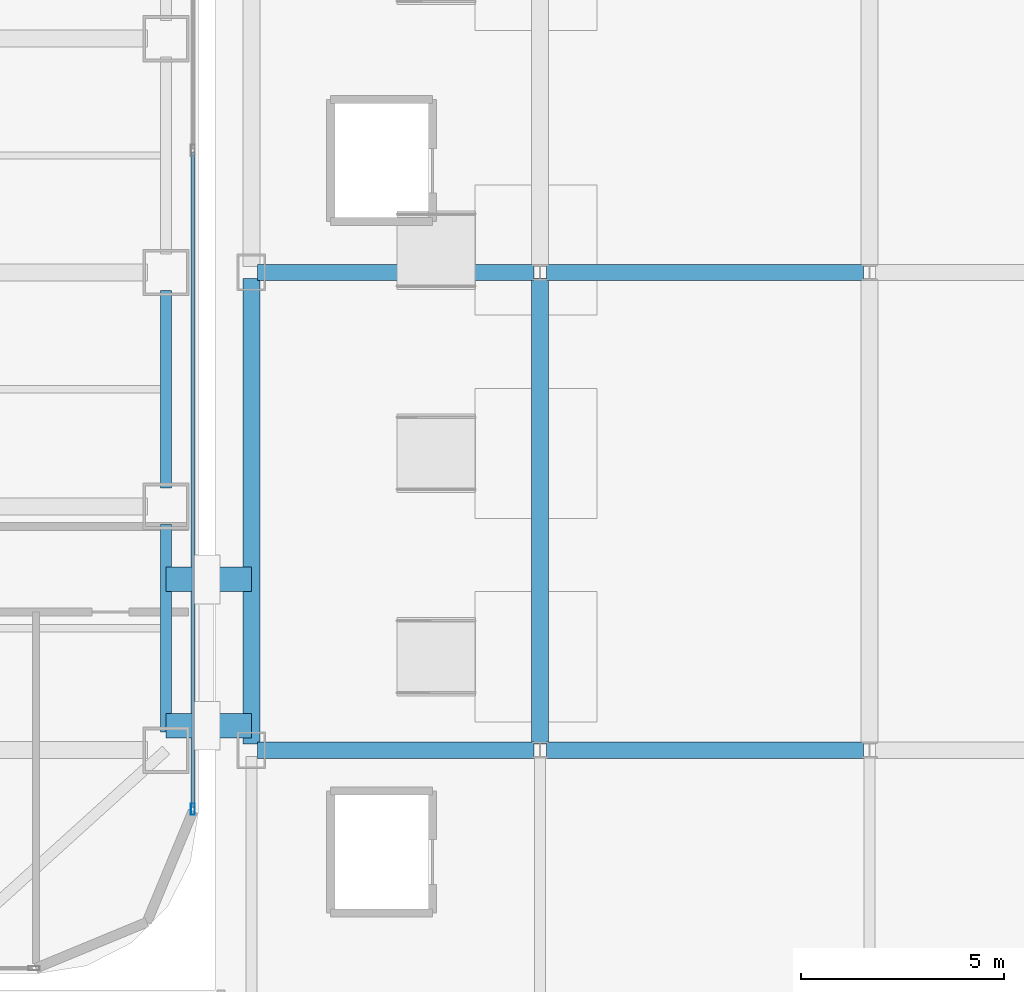
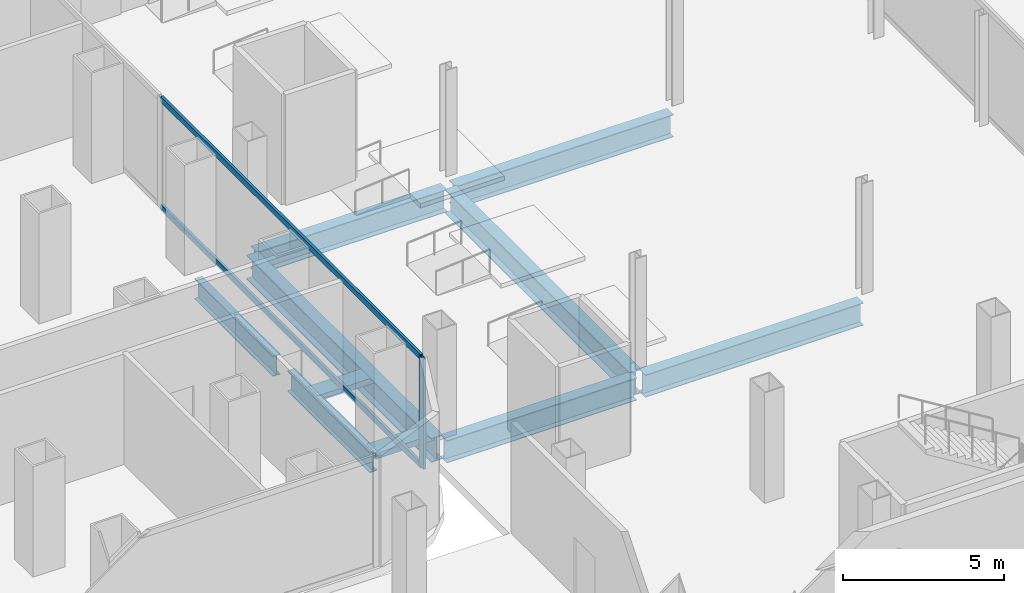
# One storey, part 11 of 31: 8 beams, 5 members, 1 element without a shape of its own.
"""IFC4 building model written with IfcOpenShell, lengths in metres."""

from ifc_helpers import new_model, si_unit, direction, frame, origin, origin_2d, place, context, subcontext, project, spatial, hollow_rectangle, i_section, extrude, source, transform, mapped, material, layer, layer_set, material_profile, profile_set, type_object, element, aggregate, save


model = new_model("IFC4")

# Units and contexts
model_context = context("Model", 3, precision=1e-05, world=origin(), true_north=direction((0.0, 1.0)))
body_context = subcontext(model_context, "Body", "Model", "MODEL_VIEW")
ifc_project = project(units=[si_unit("LENGTHUNIT", "METRE"), si_unit("AREAUNIT", "SQUARE_METRE"), si_unit("VOLUMEUNIT", "CUBIC_METRE"), si_unit("PLANEANGLEUNIT", "RADIAN"), si_unit("MASSUNIT", "GRAM", prefix="KILO")], contexts=[model_context])

# Site, building, storey
site_placement = place(None, origin())
site = spatial("IfcSite", under=ifc_project, at=site_placement, CompositionType="ELEMENT")
building_placement = place(site_placement, origin())
building = spatial("IfcBuilding", under=site, at=building_placement, Name="Kolveth Station Tower", CompositionType="ELEMENT")
storey_placement = place(building_placement, origin())
storey = spatial("IfcBuildingStorey", under=building, at=storey_placement, Name="L00", CompositionType="ELEMENT", Elevation=0.0)

# Beams
ifc_material_1 = material(Name="Steel S355", Category="steel")
ifc_material_profile_1 = material_profile(ifc_material_1, i_section(OverallWidth=0.26904296875, OverallDepth=0.77490234375, WebThickness=0.01708984375, FlangeThickness=0.0283203125, at=origin_2d()), Name="W760x220")
ifc_profile_set_1 = profile_set([ifc_material_profile_1], Name="Steel S355")
beam_type_1 = type_object("IfcBeamType", Name="Beam_SP1", PredefinedType="SPANDREL", material=ifc_profile_set_1)
shared_shape_1 = source(origin(), body_context, "Body", "SweptSolid", [
    extrude(i_section(OverallWidth=0.26904296875, OverallDepth=0.77490234375, WebThickness=0.01708984375, FlangeThickness=0.0283203125, at=origin_2d()), origin(), (0.0, 0.0, 1.0), 5.10009765625),
])
beam_1_placement = place(storey_placement, frame((46.199951171875, 5.949951171875, -0.70751953125), z_axis=(0.0, 1.0, 0.0), x_axis=(-1.0, 0.0, 0.0)))
element("IfcBeam", 1, at=beam_1_placement, inside=storey, type_object=beam_type_1, Name="L00 Perimeter Spandrel BM-L00-PE-1", PredefinedType="SPANDREL", context=body_context, shape_type="MappedRepresentation", body=[
    mapped(shared_shape_1, transform((0.0, 0.0, 0.0), x_axis=(1.0, 0.0, 0.0), y_axis=(0.0, 1.0, 0.0), z_axis=(0.0, 0.0, 1.0), scale=1.0)),
])
shared_shape_2 = source(origin(), body_context, "Body", "SweptSolid", [
    extrude(i_section(OverallWidth=0.26904296875, OverallDepth=0.77490234375, WebThickness=0.01708984375, FlangeThickness=0.0283203125, at=origin_2d()), origin(), (0.0, 0.0, 1.0), 4.85009765625),
])
beam_2_placement = place(storey_placement, frame((46.199951171875, 11.949951171875, -0.70751953125), z_axis=(0.0, 1.0, 0.0), x_axis=(-1.0, 0.0, 0.0)))
element("IfcBeam", 2, at=beam_2_placement, inside=storey, type_object=beam_type_1, Name="L00 Perimeter Spandrel BM-L00-PE-2", PredefinedType="SPANDREL", context=body_context, shape_type="MappedRepresentation", body=[
    mapped(shared_shape_2, transform((0.0, 0.0, 0.0), x_axis=(1.0, 0.0, 0.0), y_axis=(0.0, 1.0, 0.0), z_axis=(0.0, 0.0, 1.0), scale=1.0)),
])
ifc_material_profile_2 = material_profile(ifc_material_1, i_section(OverallWidth=0.40087890625, OverallDepth=0.85107421875, WebThickness=0.01611328125, FlangeThickness=0.025390625, at=origin_2d()), Name="W840x226")
ifc_profile_set_2 = profile_set([ifc_material_profile_2], Name="Steel S355")
beam_type_2 = type_object("IfcBeamType", Name="Beam_B2", PredefinedType="BEAM", material=ifc_profile_set_2)
shared_shape_3 = source(origin(), body_context, "Body", "SweptSolid", [
    extrude(i_section(OverallWidth=0.40087890625, OverallDepth=0.85107421875, WebThickness=0.01611328125, FlangeThickness=0.025390625, at=origin_2d()), origin(), (0.0, 0.0, 1.0), 6.800048828125),
])
for number, where, z_axis, x_axis, name in (
    (3, (48.449951171875, 5.5, -0.74560546875), (1.0, 0.0, 0.0), (0.0, 1.0, 0.0), "L00 Station Portal Girder SBM-L00-EW-3-1"),
    (4, (48.449951171875, 17.25, -0.74560546875), (1.0, 0.0, 0.0), (0.0, 1.0, 0.0), "L00 Station Portal Girder SBM-L00-EW-4-1"),
):
    element("IfcBeam", number, at=place(storey_placement, frame(where, z_axis=z_axis, x_axis=x_axis)), inside=storey, type_object=beam_type_2, Name=name, PredefinedType="BEAM", context=body_context, shape_type="MappedRepresentation", body=[
        mapped(shared_shape_3, transform((0.0, 0.0, 0.0), x_axis=(1.0, 0.0, 0.0), y_axis=(0.0, 1.0, 0.0), z_axis=(0.0, 0.0, 1.0), scale=1.0)),
    ])
shared_shape_4 = source(origin(), body_context, "Body", "SweptSolid", [
    extrude(i_section(OverallWidth=0.40087890625, OverallDepth=0.85107421875, WebThickness=0.01611328125, FlangeThickness=0.025390625, at=origin_2d()), origin(), (0.0, 0.0, 1.0), 7.800048828125),
])
for number, where, z_axis, x_axis, name in (
    (5, (55.550048828125, 5.5, -0.74560546875), (1.0, 0.0, 0.0), (0.0, 1.0, 0.0), "L00 Station Portal Girder SBM-L00-EW-3-2"),
    (6, (55.550048828125, 17.25, -0.74560546875), (1.0, 0.0, 0.0), (0.0, 1.0, 0.0), "L00 Station Portal Girder SBM-L00-EW-4-2"),
):
    element("IfcBeam", number, at=place(storey_placement, frame(where, z_axis=z_axis, x_axis=x_axis)), inside=storey, type_object=beam_type_2, Name=name, PredefinedType="BEAM", context=body_context, shape_type="MappedRepresentation", body=[
        mapped(shared_shape_4, transform((0.0, 0.0, 0.0), x_axis=(1.0, 0.0, 0.0), y_axis=(0.0, 1.0, 0.0), z_axis=(0.0, 0.0, 1.0), scale=1.0)),
    ])
ifc_material_profile_3 = material_profile(ifc_material_1, i_section(OverallWidth=0.41796875, OverallDepth=0.912109375, WebThickness=0.019287109375, FlangeThickness=0.031982421875, at=origin_2d()), Name="W920x342")
ifc_profile_set_3 = profile_set([ifc_material_profile_3], Name="Steel S355")
beam_type_3 = type_object("IfcBeamType", Name="Beam_B1", PredefinedType="BEAM", material=ifc_profile_set_3)
shared_shape_5 = source(origin(), body_context, "Body", "SweptSolid", [
    extrude(i_section(OverallWidth=0.41796875, OverallDepth=0.912109375, WebThickness=0.019287109375, FlangeThickness=0.031982421875, at=origin_2d()), origin(), (0.0, 0.0, 1.0), 11.4501953125),
])
for number, where, z_axis, x_axis, name in (
    (7, (48.300048828125, 5.64990234375, -0.77587890625), (0.0, 1.0, 0.0), (-1.0, 0.0, 0.0), "L00 Station Spine Girder SBM-L00-NS-1-3"),
    (8, (55.39990234375, 5.64990234375, -0.77587890625), (0.0, 1.0, 0.0), (-1.0, 0.0, 0.0), "L00 Station Spine Girder SBM-L00-NS-2-3"),
):
    element("IfcBeam", number, at=place(storey_placement, frame(where, z_axis=z_axis, x_axis=x_axis)), inside=storey, type_object=beam_type_3, Name=name, PredefinedType="BEAM", context=body_context, shape_type="MappedRepresentation", body=[
        mapped(shared_shape_5, transform((0.0, 0.0, 0.0), x_axis=(1.0, 0.0, 0.0), y_axis=(0.0, 1.0, 0.0), z_axis=(0.0, 0.0, 1.0), scale=1.0)),
    ])

# Members
ifc_material_2 = material(Name="Steel S355 and PTFE elastomer", Category="steel")
ifc_material_profile_4 = material_profile(ifc_material_2, hollow_rectangle(XDim=0.60009765625, YDim=0.219970703125, WallThickness=0.0400390625, at=origin_2d()), Name="PTFE-BEARING-750x600")
ifc_profile_set_4 = profile_set([ifc_material_profile_4], Name="Steel S355 and PTFE elastomer")
member_type_1 = type_object("IfcMemberType", Name="Mem_BRG1", PredefinedType="USERDEFINED", material=ifc_profile_set_4)
shared_shape_6 = source(origin(), body_context, "Body", "SweptSolid", [
    extrude(hollow_rectangle(XDim=0.60009765625, YDim=0.219970703125, WallThickness=0.0400390625, at=origin_2d()), origin(), (0.0, 0.0, 1.0), 2.10009765625),
])
for number, where, z_axis, x_axis, name in (
    (9, (46.199951171875, 6.10009765625, -0.429931640625), (1.0, 0.0, 0.0), (0.0, 1.0, 0.0), "L00 Unguided PTFE Sliding Bearing 2.1"),
    (10, (46.199951171875, 9.699951171875, -0.429931640625), (1.0, 0.0, 0.0), (0.0, 1.0, 0.0), "L00 Unguided PTFE Sliding Bearing 2.2"),
):
    element("IfcMember", number, at=place(storey_placement, frame(where, z_axis=z_axis, x_axis=x_axis)), inside=storey, type_object=member_type_1, Name=name, ObjectType="BEARING", PredefinedType="USERDEFINED", context=body_context, shape_type="MappedRepresentation", body=[
        mapped(shared_shape_6, transform((0.0, 0.0, 0.0), x_axis=(1.0, 0.0, 0.0), y_axis=(0.0, 1.0, 0.0), z_axis=(0.0, 0.0, 1.0), scale=1.0)),
    ])

# Curtain wall, members
ifc_material_3 = material(Name="Black anodized aluminium 6063-T6 and clear station glass", Category="aluminium")
ifc_layer = layer(ifc_material_3, 0.239990234375)
ifc_layer_set = layer_set([ifc_layer], Name="Black anodized aluminium 6063-T6 and clear station glass")
curtain_wall_type = type_object("IfcCurtainWallType", Name="CurtainWall_CW-ST", PredefinedType="NOTDEFINED", material=ifc_layer_set)
curtain_wall_placement = place(storey_placement, origin())
curtain_wall = element("IfcCurtainWall", 11, at=curtain_wall_placement, inside=storey, type_object=curtain_wall_type, Name="L00 Tower Podium East Storefront Curtain Wall", PredefinedType="NOTDEFINED")
ifc_material_4 = material(Name="Black anodized aluminium 6063-T6", Category="aluminium")
ifc_material_profile_5 = material_profile(ifc_material_4, hollow_rectangle(XDim=0.10009765625, YDim=0.280029296875, WallThickness=0.0048828125, at=origin_2d()), Name="ALU-100x280x5")
ifc_profile_set_5 = profile_set([ifc_material_profile_5], Name="Black anodized aluminium 6063-T6")
member_type_2 = type_object("IfcMemberType", Name="Mullion_ML-ST", PredefinedType="MULLION", material=ifc_profile_set_5)
shared_shape_7 = source(origin(), body_context, "Body", "SweptSolid", [
    extrude(hollow_rectangle(XDim=0.10009765625, YDim=0.280029296875, WallThickness=0.0048828125, at=origin_2d()), origin(), (0.0, 0.0, 1.0), 4.179931640625),
])
member_1_placement = place(storey_placement, frame((46.860107421875, 4.050048828125, 0.0), z_axis=(0.0, 0.0, 1.0), x_axis=(-1.0, 0.0, 0.0)))
member_1 = element("IfcMember", 12, at=member_1_placement, type_object=member_type_2, Name="CW-ST mullion 1", PredefinedType="MULLION", context=body_context, shape_type="MappedRepresentation", body=[
    mapped(shared_shape_7, transform((0.0, 0.0, 0.0), x_axis=(1.0, 0.0, 0.0), y_axis=(0.0, 1.0, 0.0), z_axis=(0.0, 0.0, 1.0), scale=1.0)),
])
ifc_material_profile_6 = material_profile(ifc_material_4, hollow_rectangle(XDim=0.094970703125, YDim=0.219970703125, WallThickness=0.0048828125, at=origin_2d()), Name="ALU-95x220x5")
ifc_profile_set_6 = profile_set([ifc_material_profile_6], Name="Black anodized aluminium 6063-T6")
member_type_3 = type_object("IfcMemberType", Name="Transom_TR-ST", PredefinedType="USERDEFINED", material=ifc_profile_set_6)
shared_shape_8 = source(origin(), body_context, "Body", "SweptSolid", [
    extrude(hollow_rectangle(XDim=0.094970703125, YDim=0.219970703125, WallThickness=0.0048828125, at=origin_2d()), origin(), (0.0, 0.0, 1.0), 16.099853515625),
])
member_2_placement = place(storey_placement, frame((46.860107421875, 4.10009765625, 0.047607421875), z_axis=(0.0, 1.0, 0.0), x_axis=(-1.0, 0.0, 0.0)))
member_2 = element("IfcMember", 13, at=member_2_placement, type_object=member_type_3, Name="CW-ST transom 1.1", ObjectType="TRANSOM", PredefinedType="USERDEFINED", context=body_context, shape_type="MappedRepresentation", body=[
    mapped(shared_shape_8, transform((0.0, 0.0, 0.0), x_axis=(1.0, 0.0, 0.0), y_axis=(0.0, 1.0, 0.0), z_axis=(0.0, 0.0, 1.0), scale=1.0)),
])
member_3_placement = place(storey_placement, frame((46.860107421875, 4.10009765625, 4.132568359375), z_axis=(0.0, 1.0, 0.0), x_axis=(-1.0, 0.0, 0.0)))
member_3 = element("IfcMember", 14, at=member_3_placement, type_object=member_type_3, Name="CW-ST transom 1.2", ObjectType="TRANSOM", PredefinedType="USERDEFINED", context=body_context, shape_type="MappedRepresentation", body=[
    mapped(shared_shape_8, transform((0.0, 0.0, 0.0), x_axis=(1.0, 0.0, 0.0), y_axis=(0.0, 1.0, 0.0), z_axis=(0.0, 0.0, 1.0), scale=1.0)),
])
aggregate(curtain_wall, [member_1, member_2, member_3])

save(model, "model.ifc")
